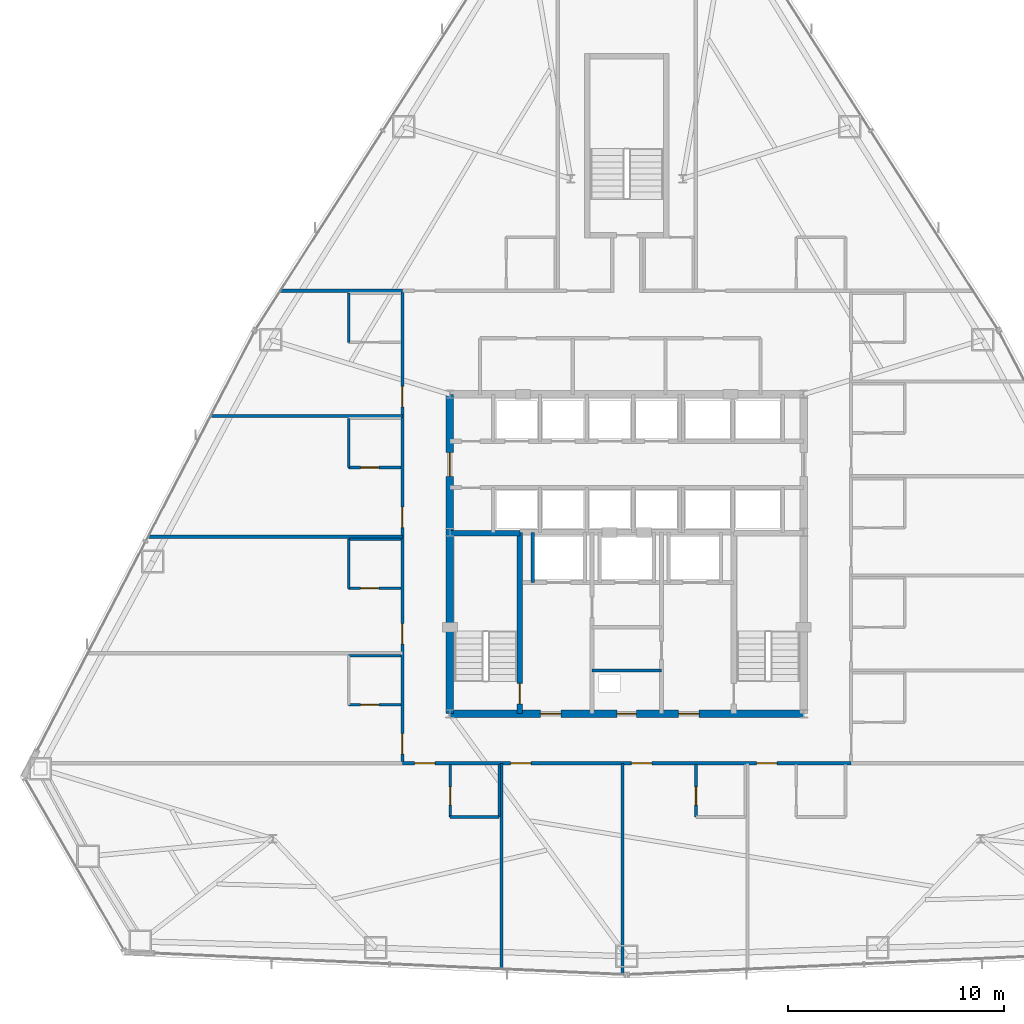
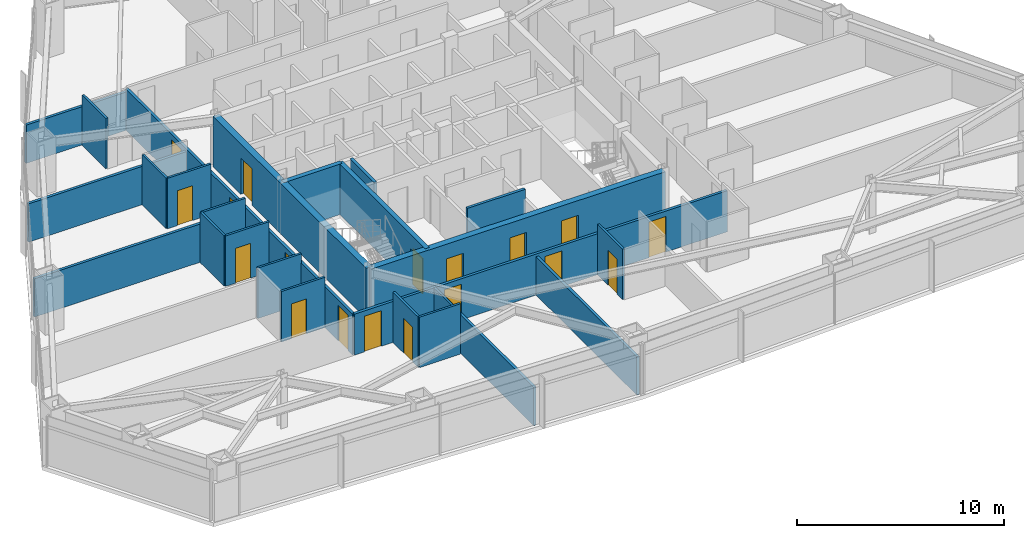
# One storey, part 9 of 13: 25 walls, 18 doors, 18 openings.
"""IFC4 building model written with IfcOpenShell, lengths in metres."""

from ifc_helpers import new_model, si_unit, direction, frame, frame_2d, origin, place, context, subcontext, project, spatial, rectangle, extrude, material, layer, layer_set, type_object, element, fill, save


model = new_model("IFC4")

# Units and contexts
model_context = context("Model", 3, precision=1e-05, world=origin(), true_north=direction((0.0, 1.0)))
body_context = subcontext(model_context, "Body", "Model", "MODEL_VIEW")
ifc_project = project(units=[si_unit("LENGTHUNIT", "METRE"), si_unit("AREAUNIT", "SQUARE_METRE"), si_unit("VOLUMEUNIT", "CUBIC_METRE"), si_unit("PLANEANGLEUNIT", "RADIAN"), si_unit("MASSUNIT", "GRAM", prefix="KILO")], contexts=[model_context])

# Site, building, storey
site_placement = place(None, origin())
site = spatial("IfcSite", under=ifc_project, at=site_placement, CompositionType="ELEMENT")
building_placement = place(site_placement, origin())
building = spatial("IfcBuilding", under=site, at=building_placement, Name="Varakhsha Concourse Tower", CompositionType="ELEMENT")
storey_placement = place(building_placement, frame((0.0, 0.0, 86.199951171875)))
storey = spatial("IfcBuildingStorey", under=building, at=storey_placement, Name="L24", CompositionType="ELEMENT", Elevation=86.199951171875)

# Wall, openings, doors
ifc_material_1 = material(Name="Concrete fc 65 MPa", Category="concrete")
ifc_layer_1 = layer(ifc_material_1, 0.35009765625, Name="WL-CORE-350")
ifc_layer_set_1 = layer_set([ifc_layer_1], Name="Concrete fc 65 MPa")
wall_type_1 = type_object("IfcWallType", Name="WL-CORE-350", PredefinedType="SHEAR", material=ifc_layer_set_1)
wall_1_placement = place(storey_placement, frame((31.800048828125, 16.39990234375, 0.0), z_axis=(0.0, 0.0, 1.0), x_axis=(1.0, 0.0, 0.0)))
wall_1 = element("IfcWall", 1, at=wall_1_placement, inside=storey, type_object=wall_type_1, Name="L24 Wall CWALL-S-L24", PredefinedType="SHEAR", context=body_context, shape_type="SweptSolid", body=[
    extrude(rectangle(XDim=16.39990234375, YDim=0.35009765625, at=frame_2d((8.199951171875, 0.0))), origin(), (0.0, 0.0, 1.0), 2.969970703125),
])
opening_1_placement = place(wall_1_placement, frame((7.75, 0.0, 0.0)))
opening_1 = element("IfcOpeningElement", 2, at=opening_1_placement, cuts=wall_1, Name="Opening DF-06", PredefinedType="OPENING", context=body_context, shape_type="SweptSolid", body=[
    extrude(rectangle(XDim=0.89990234375, YDim=2.10009765625, at=frame_2d((0.449951171875, 1.050048828125))), frame((0.0, 0.18505859375, 0.0), z_axis=(0.0, -1.0, 0.0), x_axis=(1.0, 0.0, 0.0)), (0.0, 0.0, 1.0), 0.3701171875),
])
opening_2_placement = place(wall_1_placement, frame((4.199951171875, 0.0, 0.0)))
opening_2 = element("IfcOpeningElement", 3, at=opening_2_placement, cuts=wall_1, Name="Opening DF-05", PredefinedType="OPENING", context=body_context, shape_type="SweptSolid", body=[
    extrude(rectangle(XDim=0.949951171875, YDim=2.10009765625, at=frame_2d((0.47509765625, 1.050048828125))), frame((0.0, 0.18505859375, 0.0), z_axis=(0.0, -1.0, 0.0), x_axis=(1.0, 0.0, 0.0)), (0.0, 0.0, 1.0), 0.3701171875),
])
opening_3_placement = place(wall_1_placement, frame((10.60009765625, 0.0, 0.0)))
opening_3 = element("IfcOpeningElement", 4, at=opening_3_placement, cuts=wall_1, Name="Opening DF-05", PredefinedType="OPENING", context=body_context, shape_type="SweptSolid", body=[
    extrude(rectangle(XDim=0.949951171875, YDim=2.10009765625, at=frame_2d((0.47509765625, 1.050048828125))), frame((0.0, 0.18505859375, 0.0), z_axis=(0.0, -1.0, 0.0), x_axis=(1.0, 0.0, 0.0)), (0.0, 0.0, 1.0), 0.3701171875),
])
ifc_material_2 = material(Name="Hollow Galvanised Steel Fire Door Assembly", Category="steel")
door_type_1 = type_object("IfcDoorType", Name="DR-FD60-900", OperationType="NOTDEFINED", PredefinedType="DOOR", material=ifc_material_2)
door_1_placement = place(opening_1_placement, origin())
door_1 = element("IfcDoor", 5, at=door_1_placement, inside=storey, type_object=door_type_1, Name="L24 Electrical Riser Door", OperationType="SINGLE_SWING_LEFT", OverallHeight=2.10009765625, OverallWidth=0.89990234375, PredefinedType="DOOR", context=body_context, shape_type="SweptSolid", body=[
    extrude(rectangle(XDim=0.89990234375, YDim=2.10009765625, at=frame_2d((0.449951171875, 1.050048828125))), frame((0.0, 0.02490234375, 0.0), z_axis=(0.0, -1.0, 0.0), x_axis=(1.0, 0.0, 0.0)), (0.0, 0.0, 1.0), 0.050048828125),
])
fill(opening_1, door_1)
door_type_2 = type_object("IfcDoorType", Name="DR-FD60-950", OperationType="NOTDEFINED", PredefinedType="DOOR", material=ifc_material_2)
door_2_placement = place(opening_2_placement, origin())
door_2 = element("IfcDoor", 6, at=door_2_placement, inside=storey, type_object=door_type_2, Name="L24 Firefighting Lobby West Door", OperationType="SINGLE_SWING_RIGHT", OverallHeight=2.10009765625, OverallWidth=0.949951171875, PredefinedType="DOOR", context=body_context, shape_type="SweptSolid", body=[
    extrude(rectangle(XDim=0.949951171875, YDim=2.10009765625, at=frame_2d((0.47509765625, 1.050048828125))), frame((0.0, 0.02490234375, 0.0), z_axis=(0.0, -1.0, 0.0), x_axis=(1.0, 0.0, 0.0)), (0.0, 0.0, 1.0), 0.050048828125),
])
fill(opening_2, door_2)
door_3_placement = place(opening_3_placement, origin())
door_3 = element("IfcDoor", 7, at=door_3_placement, inside=storey, type_object=door_type_2, Name="L24 Firefighting Lobby East Door", OperationType="SINGLE_SWING_LEFT", OverallHeight=2.10009765625, OverallWidth=0.949951171875, PredefinedType="DOOR", context=body_context, shape_type="SweptSolid", body=[
    extrude(rectangle(XDim=0.949951171875, YDim=2.10009765625, at=frame_2d((0.47509765625, 1.050048828125))), frame((0.0, 0.02490234375, 0.0), z_axis=(0.0, -1.0, 0.0), x_axis=(1.0, 0.0, 0.0)), (0.0, 0.0, 1.0), 0.050048828125),
])
fill(opening_3, door_3)

# Wall, opening, door
wall_2_placement = place(storey_placement, frame((31.800048828125, 16.39990234375, 0.0), z_axis=(0.0, 0.0, 1.0), x_axis=(0.0, 1.0, 0.0)))
wall_2 = element("IfcWall", 8, at=wall_2_placement, inside=storey, type_object=wall_type_1, Name="L24 Wall CWALL-W-L24", PredefinedType="SHEAR", context=body_context, shape_type="SweptSolid", body=[
    extrude(rectangle(XDim=14.800048828125, YDim=0.35009765625, at=frame_2d((7.39990234375, 0.0))), origin(), (0.0, 0.0, 1.0), 2.969970703125),
])
opening_4_placement = place(wall_2_placement, frame((11.0, 0.0, 0.0)))
opening_4 = element("IfcOpeningElement", 9, at=opening_4_placement, cuts=wall_2, Name="Opening DL-01", PredefinedType="OPENING", context=body_context, shape_type="SweptSolid", body=[
    extrude(rectangle(XDim=1.10009765625, YDim=2.14990234375, at=frame_2d((0.550048828125, 1.074951171875))), frame((0.0, 0.18505859375, 0.0), z_axis=(0.0, -1.0, 0.0), x_axis=(1.0, 0.0, 0.0)), (0.0, 0.0, 1.0), 0.3701171875),
])
ifc_material_3 = material(Name="Anodised Bronze Architectural Aluminium AA 6063-T6", Category="aluminium")
door_type_3 = type_object("IfcDoorType", Name="DR-LOB-1100", OperationType="NOTDEFINED", PredefinedType="DOOR", material=ifc_material_3)
door_4_placement = place(opening_4_placement, origin())
door_4 = element("IfcDoor", 10, at=door_4_placement, inside=storey, type_object=door_type_3, Name="L24 Lift Lobby West Concourse Door", OperationType="SINGLE_SWING_LEFT", OverallHeight=2.14990234375, OverallWidth=1.10009765625, PredefinedType="DOOR", context=body_context, shape_type="SweptSolid", body=[
    extrude(rectangle(XDim=1.10009765625, YDim=2.14990234375, at=frame_2d((0.550048828125, 1.074951171875))), frame((0.0, 0.02490234375, 0.0), z_axis=(0.0, -1.0, 0.0), x_axis=(1.0, 0.0, 0.0)), (0.0, 0.0, 1.0), 0.050048828125),
])
fill(opening_4, door_4)

ifc_material_4 = material(Name="Acoustic Gypsum Board Partition Assembly", Category="gypsum")
ifc_layer_2 = layer(ifc_material_4, 0.1201171875, Name="WL-PART-120")
ifc_layer_set_2 = layer_set([ifc_layer_2], Name="Acoustic Gypsum Board Partition Assembly")
wall_type_2 = type_object("IfcWallType", Name="WL-PART-120", PredefinedType="PARTITIONING", material=ifc_layer_set_2)
wall_3_placement = place(storey_placement, frame((31.81005859375, 11.610107421875, 0.0), z_axis=(0.0, 0.0, 1.0), x_axis=(0.0, 1.0, 0.0)))
wall_3 = element("IfcWall", 11, at=wall_3_placement, inside=storey, type_object=wall_type_2, Name="L24 Wall ENSW-W-L24-H01", PredefinedType="PARTITIONING", context=body_context, shape_type="SweptSolid", body=[
    extrude(rectangle(XDim=2.429931640625, YDim=0.1201171875, at=frame_2d((1.21484375, 0.0))), origin(), (0.0, 0.0, 1.0), 2.969970703125),
])
opening_5_placement = place(wall_3_placement, frame((0.550048828125, 0.0, 0.0)))
opening_5 = element("IfcOpeningElement", 12, at=opening_5_placement, cuts=wall_3, Name="Opening DI-01", PredefinedType="OPENING", context=body_context, shape_type="SweptSolid", body=[
    extrude(rectangle(XDim=0.85009765625, YDim=2.050048828125, at=frame_2d((0.425048828125, 1.02490234375))), frame((0.0, 0.070068359375, 0.0), z_axis=(0.0, -1.0, 0.0), x_axis=(1.0, 0.0, 0.0)), (0.0, 0.0, 1.0), 0.14013671875),
])
ifc_material_5 = material(Name="Architectural Walnut Acoustic Timber Door", Category="wood")
door_type_4 = type_object("IfcDoorType", Name="DR-INT-850", OperationType="NOTDEFINED", PredefinedType="DOOR", material=ifc_material_5)
door_5_placement = place(opening_5_placement, origin())
door_5 = element("IfcDoor", 13, at=door_5_placement, inside=storey, type_object=door_type_4, Name="L24 En-suite Bathroom Door L24-H01", OperationType="SINGLE_SWING_RIGHT", OverallHeight=2.050048828125, OverallWidth=0.85009765625, PredefinedType="DOOR", context=body_context, shape_type="SweptSolid", body=[
    extrude(rectangle(XDim=0.85009765625, YDim=2.050048828125, at=frame_2d((0.425048828125, 1.02490234375))), frame((0.0, 0.02490234375, 0.0), z_axis=(0.0, -1.0, 0.0), x_axis=(1.0, 0.0, 0.0)), (0.0, 0.0, 1.0), 0.050048828125),
])
fill(opening_5, door_5)

# Walls
wall_4_placement = place(storey_placement, frame((34.090087890625, 11.610107421875, 0.0), z_axis=(0.0, 0.0, 1.0), x_axis=(0.0, 1.0, 0.0)))
element("IfcWall", 14, at=wall_4_placement, inside=storey, type_object=wall_type_2, Name="L24 Wall ENSW-E-L24-H01", PredefinedType="PARTITIONING", context=body_context, shape_type="SweptSolid", body=[
    extrude(rectangle(XDim=2.429931640625, YDim=0.1201171875, at=frame_2d((1.21484375, 0.0))), origin(), (0.0, 0.0, 1.0), 2.421142578125),
])
wall_5_placement = place(storey_placement, frame((31.81005859375, 11.610107421875, 0.0), z_axis=(0.0, 0.0, 1.0), x_axis=(1.0, 0.0, 0.0)))
element("IfcWall", 15, at=wall_5_placement, inside=storey, type_object=wall_type_2, Name="L24 Wall ENSW-S-L24-H01", PredefinedType="PARTITIONING", context=body_context, shape_type="SweptSolid", body=[
    extrude(rectangle(XDim=2.280029296875, YDim=0.1201171875, at=frame_2d((1.14013671875, 0.0))), origin(), (0.0, 0.0, 1.0), 2.969970703125),
])

# Wall, opening, door
wall_6_placement = place(storey_placement, frame((43.2099609375, 11.610107421875, 0.0), z_axis=(0.0, 0.0, 1.0), x_axis=(0.0, 1.0, 0.0)))
wall_6 = element("IfcWall", 16, at=wall_6_placement, inside=storey, type_object=wall_type_2, Name="L24 Wall ENSW-W-L24-H03", PredefinedType="PARTITIONING", context=body_context, shape_type="SweptSolid", body=[
    extrude(rectangle(XDim=2.429931640625, YDim=0.1201171875, at=frame_2d((1.21484375, 0.0))), origin(), (0.0, 0.0, 1.0), 2.969970703125),
])
opening_6_placement = place(wall_6_placement, frame((0.550048828125, 0.0, 0.0)))
opening_6 = element("IfcOpeningElement", 17, at=opening_6_placement, cuts=wall_6, Name="Opening DI-01", PredefinedType="OPENING", context=body_context, shape_type="SweptSolid", body=[
    extrude(rectangle(XDim=0.85009765625, YDim=2.050048828125, at=frame_2d((0.425048828125, 1.02490234375))), frame((0.0, 0.070068359375, 0.0), z_axis=(0.0, -1.0, 0.0), x_axis=(1.0, 0.0, 0.0)), (0.0, 0.0, 1.0), 0.14013671875),
])
door_6_placement = place(opening_6_placement, origin())
door_6 = element("IfcDoor", 18, at=door_6_placement, inside=storey, type_object=door_type_4, Name="L24 En-suite Bathroom Door L24-H03", OperationType="SINGLE_SWING_RIGHT", OverallHeight=2.050048828125, OverallWidth=0.85009765625, PredefinedType="DOOR", context=body_context, shape_type="SweptSolid", body=[
    extrude(rectangle(XDim=0.85009765625, YDim=2.050048828125, at=frame_2d((0.425048828125, 1.02490234375))), frame((0.0, 0.02490234375, 0.0), z_axis=(0.0, -1.0, 0.0), x_axis=(1.0, 0.0, 0.0)), (0.0, 0.0, 1.0), 0.050048828125),
])
fill(opening_6, door_6)

wall_7_placement = place(storey_placement, frame((27.110107421875, 16.81005859375, 0.0), z_axis=(0.0, 0.0, 1.0), x_axis=(1.0, 0.0, 0.0)))
wall_7 = element("IfcWall", 19, at=wall_7_placement, inside=storey, type_object=wall_type_2, Name="L24 Wall ENSW-S-L24-H05", PredefinedType="PARTITIONING", context=body_context, shape_type="SweptSolid", body=[
    extrude(rectangle(XDim=2.429931640625, YDim=0.1201171875, at=frame_2d((1.21484375, 0.0))), origin(), (0.0, 0.0, 1.0), 2.969970703125),
])
opening_7_placement = place(wall_7_placement, frame((0.550048828125, 0.0, 0.0)))
opening_7 = element("IfcOpeningElement", 20, at=opening_7_placement, cuts=wall_7, Name="Opening DI-01", PredefinedType="OPENING", context=body_context, shape_type="SweptSolid", body=[
    extrude(rectangle(XDim=0.85009765625, YDim=2.050048828125, at=frame_2d((0.425048828125, 1.02490234375))), frame((0.0, 0.070068359375, 0.0), z_axis=(0.0, -1.0, 0.0), x_axis=(1.0, 0.0, 0.0)), (0.0, 0.0, 1.0), 0.14013671875),
])
door_7_placement = place(opening_7_placement, origin())
door_7 = element("IfcDoor", 21, at=door_7_placement, inside=storey, type_object=door_type_4, Name="L24 En-suite Bathroom Door L24-H05", OperationType="SINGLE_SWING_RIGHT", OverallHeight=2.050048828125, OverallWidth=0.85009765625, PredefinedType="DOOR", context=body_context, shape_type="SweptSolid", body=[
    extrude(rectangle(XDim=0.85009765625, YDim=2.050048828125, at=frame_2d((0.425048828125, 1.02490234375))), frame((0.0, 0.02490234375, 0.0), z_axis=(0.0, -1.0, 0.0), x_axis=(1.0, 0.0, 0.0)), (0.0, 0.0, 1.0), 0.050048828125),
])
fill(opening_7, door_7)

# Walls
wall_8_placement = place(storey_placement, frame((27.110107421875, 19.090087890625, 0.0), z_axis=(0.0, 0.0, 1.0), x_axis=(1.0, 0.0, 0.0)))
element("IfcWall", 22, at=wall_8_placement, inside=storey, type_object=wall_type_2, Name="L24 Wall ENSW-N-L24-H05", PredefinedType="PARTITIONING", context=body_context, shape_type="SweptSolid", body=[
    extrude(rectangle(XDim=2.429931640625, YDim=0.1201171875, at=frame_2d((1.21484375, 0.0))), origin(), (0.0, 0.0, 1.0), 2.969970703125),
])
wall_9_placement = place(storey_placement, frame((27.110107421875, 22.2099609375, 0.0), z_axis=(0.0, 0.0, 1.0), x_axis=(0.0, 1.0, 0.0)))
element("IfcWall", 23, at=wall_9_placement, inside=storey, type_object=wall_type_2, Name="L24 Wall ENSW-W-L24-H06", PredefinedType="PARTITIONING", context=body_context, shape_type="SweptSolid", body=[
    extrude(rectangle(XDim=2.280029296875, YDim=0.1201171875, at=frame_2d((1.14013671875, 0.0))), origin(), (0.0, 0.0, 1.0), 2.969970703125),
])

# Wall, opening, door
wall_10_placement = place(storey_placement, frame((27.110107421875, 22.2099609375, 0.0), z_axis=(0.0, 0.0, 1.0), x_axis=(1.0, 0.0, 0.0)))
wall_10 = element("IfcWall", 24, at=wall_10_placement, inside=storey, type_object=wall_type_2, Name="L24 Wall ENSW-S-L24-H06", PredefinedType="PARTITIONING", context=body_context, shape_type="SweptSolid", body=[
    extrude(rectangle(XDim=2.429931640625, YDim=0.1201171875, at=frame_2d((1.21484375, 0.0))), origin(), (0.0, 0.0, 1.0), 2.969970703125),
])
opening_8_placement = place(wall_10_placement, frame((0.550048828125, 0.0, 0.0)))
opening_8 = element("IfcOpeningElement", 25, at=opening_8_placement, cuts=wall_10, Name="Opening DI-01", PredefinedType="OPENING", context=body_context, shape_type="SweptSolid", body=[
    extrude(rectangle(XDim=0.85009765625, YDim=2.050048828125, at=frame_2d((0.425048828125, 1.02490234375))), frame((0.0, 0.070068359375, 0.0), z_axis=(0.0, -1.0, 0.0), x_axis=(1.0, 0.0, 0.0)), (0.0, 0.0, 1.0), 0.14013671875),
])
door_8_placement = place(opening_8_placement, origin())
door_8 = element("IfcDoor", 26, at=door_8_placement, inside=storey, type_object=door_type_4, Name="L24 En-suite Bathroom Door L24-H06", OperationType="SINGLE_SWING_RIGHT", OverallHeight=2.050048828125, OverallWidth=0.85009765625, PredefinedType="DOOR", context=body_context, shape_type="SweptSolid", body=[
    extrude(rectangle(XDim=0.85009765625, YDim=2.050048828125, at=frame_2d((0.425048828125, 1.02490234375))), frame((0.0, 0.02490234375, 0.0), z_axis=(0.0, -1.0, 0.0), x_axis=(1.0, 0.0, 0.0)), (0.0, 0.0, 1.0), 0.050048828125),
])
fill(opening_8, door_8)

# Walls
wall_11_placement = place(storey_placement, frame((27.110107421875, 24.489990234375, 0.0), z_axis=(0.0, 0.0, 1.0), x_axis=(1.0, 0.0, 0.0)))
element("IfcWall", 27, at=wall_11_placement, inside=storey, type_object=wall_type_2, Name="L24 Wall ENSW-N-L24-H06", PredefinedType="PARTITIONING", context=body_context, shape_type="SweptSolid", body=[
    extrude(rectangle(XDim=2.429931640625, YDim=0.1201171875, at=frame_2d((1.21484375, 0.0))), origin(), (0.0, 0.0, 1.0), 2.969970703125),
])
wall_12_placement = place(storey_placement, frame((27.110107421875, 27.81005859375, 0.0), z_axis=(0.0, 0.0, 1.0), x_axis=(0.0, 1.0, 0.0)))
element("IfcWall", 28, at=wall_12_placement, inside=storey, type_object=wall_type_2, Name="L24 Wall ENSW-W-L24-H07", PredefinedType="PARTITIONING", context=body_context, shape_type="SweptSolid", body=[
    extrude(rectangle(XDim=2.280029296875, YDim=0.1201171875, at=frame_2d((1.14013671875, 0.0))), origin(), (0.0, 0.0, 1.0), 2.969970703125),
])

# Wall, opening, door
wall_13_placement = place(storey_placement, frame((27.110107421875, 27.81005859375, 0.0), z_axis=(0.0, 0.0, 1.0), x_axis=(1.0, 0.0, 0.0)))
wall_13 = element("IfcWall", 29, at=wall_13_placement, inside=storey, type_object=wall_type_2, Name="L24 Wall ENSW-S-L24-H07", PredefinedType="PARTITIONING", context=body_context, shape_type="SweptSolid", body=[
    extrude(rectangle(XDim=2.429931640625, YDim=0.1201171875, at=frame_2d((1.21484375, 0.0))), origin(), (0.0, 0.0, 1.0), 2.969970703125),
])
opening_9_placement = place(wall_13_placement, frame((0.550048828125, 0.0, 0.0)))
opening_9 = element("IfcOpeningElement", 30, at=opening_9_placement, cuts=wall_13, Name="Opening DI-01", PredefinedType="OPENING", context=body_context, shape_type="SweptSolid", body=[
    extrude(rectangle(XDim=0.85009765625, YDim=2.050048828125, at=frame_2d((0.425048828125, 1.02490234375))), frame((0.0, 0.070068359375, 0.0), z_axis=(0.0, -1.0, 0.0), x_axis=(1.0, 0.0, 0.0)), (0.0, 0.0, 1.0), 0.14013671875),
])
door_9_placement = place(opening_9_placement, origin())
door_9 = element("IfcDoor", 31, at=door_9_placement, inside=storey, type_object=door_type_4, Name="L24 En-suite Bathroom Door L24-H07", OperationType="SINGLE_SWING_RIGHT", OverallHeight=2.050048828125, OverallWidth=0.85009765625, PredefinedType="DOOR", context=body_context, shape_type="SweptSolid", body=[
    extrude(rectangle(XDim=0.85009765625, YDim=2.050048828125, at=frame_2d((0.425048828125, 1.02490234375))), frame((0.0, 0.02490234375, 0.0), z_axis=(0.0, -1.0, 0.0), x_axis=(1.0, 0.0, 0.0)), (0.0, 0.0, 1.0), 0.050048828125),
])
fill(opening_9, door_9)

# Walls
wall_14_placement = place(storey_placement, frame((27.110107421875, 33.610107421875, 0.0), z_axis=(0.0, 0.0, 1.0), x_axis=(0.0, 1.0, 0.0)))
element("IfcWall", 32, at=wall_14_placement, inside=storey, type_object=wall_type_2, Name="L24 Wall ENSW-W-L24-H08", PredefinedType="PARTITIONING", context=body_context, shape_type="SweptSolid", body=[
    extrude(rectangle(XDim=2.27978515625, YDim=0.1201171875, at=frame_2d((1.139892578125, 0.0))), origin(), (0.0, 0.0, 1.0), 2.969970703125),
])
ifc_material_6 = material(Name="Fire-Rated Type X Gypsum Partition Assembly", Category="gypsum")
ifc_layer_3 = layer(ifc_material_6, 0.14990234375, Name="WL-PART-150")
ifc_layer_set_3 = layer_set([ifc_layer_3], Name="Fire-Rated Type X Gypsum Partition Assembly")
wall_type_3 = type_object("IfcWallType", Name="WL-PART-150", PredefinedType="PARTITIONING", material=ifc_layer_set_3)
wall_15_placement = place(storey_placement, frame((38.389892578125, 18.39990234375, 0.0), z_axis=(0.0, 0.0, 1.0), x_axis=(1.0, 0.0, 0.0)))
element("IfcWall", 33, at=wall_15_placement, inside=storey, type_object=wall_type_3, Name="L24 Wall RSW-H1-L24", PredefinedType="PARTITIONING", context=body_context, shape_type="SweptSolid", body=[
    extrude(rectangle(XDim=3.22021484375, YDim=0.14990234375, at=frame_2d((1.610107421875, 0.0))), origin(), (0.0, 0.0, 1.0), 2.969970703125),
])

# Wall, openings, doors
wall_16_placement = place(storey_placement, frame((29.60009765625, 14.10009765625, 0.0), z_axis=(0.0, 0.0, 1.0), x_axis=(1.0, 0.0, 0.0)))
wall_16 = element("IfcWall", 34, at=wall_16_placement, inside=storey, type_object=wall_type_3, Name="L24 Wall CRW-S-L24", PredefinedType="PARTITIONING", context=body_context, shape_type="SweptSolid", body=[
    extrude(rectangle(XDim=20.7998046875, YDim=0.14990234375, at=frame_2d((10.39990234375, 0.0))), origin(), (0.0, 0.0, 1.0), 2.421142578125),
])
opening_10_placement = place(wall_16_placement, frame((0.570068359375, 0.0, 0.0)))
opening_10 = element("IfcOpeningElement", 35, at=opening_10_placement, cuts=wall_16, Name="Opening DF-05", PredefinedType="OPENING", context=body_context, shape_type="SweptSolid", body=[
    extrude(rectangle(XDim=0.949951171875, YDim=2.10009765625, at=frame_2d((0.47509765625, 1.050048828125))), frame((0.0, 0.0849609375, 0.0), z_axis=(0.0, -1.0, 0.0), x_axis=(1.0, 0.0, 0.0)), (0.0, 0.0, 1.0), 0.169921875),
])
opening_11_placement = place(wall_16_placement, frame((5.02001953125, 0.0, 0.0)))
opening_11 = element("IfcOpeningElement", 36, at=opening_11_placement, cuts=wall_16, Name="Opening DF-05", PredefinedType="OPENING", context=body_context, shape_type="SweptSolid", body=[
    extrude(rectangle(XDim=0.949951171875, YDim=2.10009765625, at=frame_2d((0.47509765625, 1.050048828125))), frame((0.0, 0.0849609375, 0.0), z_axis=(0.0, -1.0, 0.0), x_axis=(1.0, 0.0, 0.0)), (0.0, 0.0, 1.0), 0.169921875),
])
opening_12_placement = place(wall_16_placement, frame((10.6201171875, 0.0, 0.0)))
opening_12 = element("IfcOpeningElement", 37, at=opening_12_placement, cuts=wall_16, Name="Opening DF-05", PredefinedType="OPENING", context=body_context, shape_type="SweptSolid", body=[
    extrude(rectangle(XDim=0.949951171875, YDim=2.10009765625, at=frame_2d((0.47509765625, 1.050048828125))), frame((0.0, 0.0849609375, 0.0), z_axis=(0.0, -1.0, 0.0), x_axis=(1.0, 0.0, 0.0)), (0.0, 0.0, 1.0), 0.169921875),
])
opening_13_placement = place(wall_16_placement, frame((16.419921875, 0.0, 0.0)))
opening_13 = element("IfcOpeningElement", 38, at=opening_13_placement, cuts=wall_16, Name="Opening DF-05", PredefinedType="OPENING", context=body_context, shape_type="SweptSolid", body=[
    extrude(rectangle(XDim=0.949951171875, YDim=2.10009765625, at=frame_2d((0.47509765625, 1.050048828125))), frame((0.0, 0.0849609375, 0.0), z_axis=(0.0, -1.0, 0.0), x_axis=(1.0, 0.0, 0.0)), (0.0, 0.0, 1.0), 0.169921875),
])
door_10_placement = place(opening_10_placement, origin())
door_10 = element("IfcDoor", 39, at=door_10_placement, inside=storey, type_object=door_type_2, Name="L24 Hotel Corner Suite L24-H01 Entry Door", OperationType="SINGLE_SWING_LEFT", OverallHeight=2.10009765625, OverallWidth=0.949951171875, PredefinedType="DOOR", context=body_context, shape_type="SweptSolid", body=[
    extrude(rectangle(XDim=0.949951171875, YDim=2.10009765625, at=frame_2d((0.47509765625, 1.050048828125))), frame((0.0, 0.02490234375, 0.0), z_axis=(0.0, -1.0, 0.0), x_axis=(1.0, 0.0, 0.0)), (0.0, 0.0, 1.0), 0.050048828125),
])
fill(opening_10, door_10)
door_11_placement = place(opening_11_placement, origin())
door_11 = element("IfcDoor", 40, at=door_11_placement, inside=storey, type_object=door_type_2, Name="L24 Conference Briefing Salon L24-H02 Door", OperationType="SINGLE_SWING_RIGHT", OverallHeight=2.10009765625, OverallWidth=0.949951171875, PredefinedType="DOOR", context=body_context, shape_type="SweptSolid", body=[
    extrude(rectangle(XDim=0.949951171875, YDim=2.10009765625, at=frame_2d((0.47509765625, 1.050048828125))), frame((0.0, 0.02490234375, 0.0), z_axis=(0.0, -1.0, 0.0), x_axis=(1.0, 0.0, 0.0)), (0.0, 0.0, 1.0), 0.050048828125),
])
fill(opening_11, door_11)
door_12_placement = place(opening_12_placement, origin())
door_12 = element("IfcDoor", 41, at=door_12_placement, inside=storey, type_object=door_type_2, Name="L24 Hotel Corner Suite L24-H03 Entry Door", OperationType="SINGLE_SWING_LEFT", OverallHeight=2.10009765625, OverallWidth=0.949951171875, PredefinedType="DOOR", context=body_context, shape_type="SweptSolid", body=[
    extrude(rectangle(XDim=0.949951171875, YDim=2.10009765625, at=frame_2d((0.47509765625, 1.050048828125))), frame((0.0, 0.02490234375, 0.0), z_axis=(0.0, -1.0, 0.0), x_axis=(1.0, 0.0, 0.0)), (0.0, 0.0, 1.0), 0.050048828125),
])
fill(opening_12, door_12)
door_13_placement = place(opening_13_placement, origin())
door_13 = element("IfcDoor", 42, at=door_13_placement, inside=storey, type_object=door_type_2, Name="L24 Hotel Corner Suite L24-H04 Entry Door", OperationType="SINGLE_SWING_RIGHT", OverallHeight=2.10009765625, OverallWidth=0.949951171875, PredefinedType="DOOR", context=body_context, shape_type="SweptSolid", body=[
    extrude(rectangle(XDim=0.949951171875, YDim=2.10009765625, at=frame_2d((0.47509765625, 1.050048828125))), frame((0.0, 0.02490234375, 0.0), z_axis=(0.0, -1.0, 0.0), x_axis=(1.0, 0.0, 0.0)), (0.0, 0.0, 1.0), 0.050048828125),
])
fill(opening_13, door_13)

wall_17_placement = place(storey_placement, frame((29.60009765625, 14.10009765625, 0.0), z_axis=(0.0, 0.0, 1.0), x_axis=(0.0, 1.0, 0.0)))
wall_17 = element("IfcWall", 43, at=wall_17_placement, inside=storey, type_object=wall_type_3, Name="L24 Wall CRW-W-L24", PredefinedType="PARTITIONING", context=body_context, shape_type="SweptSolid", body=[
    extrude(rectangle(XDim=21.89990234375, YDim=0.14990234375, at=frame_2d((10.949951171875, 0.0))), origin(), (0.0, 0.0, 1.0), 2.421142578125),
])
opening_14_placement = place(wall_17_placement, frame((0.419921875, 0.0, 0.0)))
opening_14 = element("IfcOpeningElement", 44, at=opening_14_placement, cuts=wall_17, Name="Opening DF-05", PredefinedType="OPENING", context=body_context, shape_type="SweptSolid", body=[
    extrude(rectangle(XDim=0.949951171875, YDim=2.10009765625, at=frame_2d((0.47509765625, 1.050048828125))), frame((0.0, 0.0849609375, 0.0), z_axis=(0.0, -1.0, 0.0), x_axis=(1.0, 0.0, 0.0)), (0.0, 0.0, 1.0), 0.169921875),
])
opening_15_placement = place(wall_17_placement, frame((5.52001953125, 0.0, 0.0)))
opening_15 = element("IfcOpeningElement", 45, at=opening_15_placement, cuts=wall_17, Name="Opening DF-05", PredefinedType="OPENING", context=body_context, shape_type="SweptSolid", body=[
    extrude(rectangle(XDim=0.949951171875, YDim=2.10009765625, at=frame_2d((0.47509765625, 1.050048828125))), frame((0.0, 0.0849609375, 0.0), z_axis=(0.0, -1.0, 0.0), x_axis=(1.0, 0.0, 0.0)), (0.0, 0.0, 1.0), 0.169921875),
])
opening_16_placement = place(wall_17_placement, frame((10.919921875, 0.0, 0.0)))
opening_16 = element("IfcOpeningElement", 46, at=opening_16_placement, cuts=wall_17, Name="Opening DF-05", PredefinedType="OPENING", context=body_context, shape_type="SweptSolid", body=[
    extrude(rectangle(XDim=0.949951171875, YDim=2.10009765625, at=frame_2d((0.47509765625, 1.050048828125))), frame((0.0, 0.0849609375, 0.0), z_axis=(0.0, -1.0, 0.0), x_axis=(1.0, 0.0, 0.0)), (0.0, 0.0, 1.0), 0.169921875),
])
opening_17_placement = place(wall_17_placement, frame((16.52001953125, 0.0, 0.0)))
opening_17 = element("IfcOpeningElement", 47, at=opening_17_placement, cuts=wall_17, Name="Opening DF-05", PredefinedType="OPENING", context=body_context, shape_type="SweptSolid", body=[
    extrude(rectangle(XDim=0.949951171875, YDim=2.10009765625, at=frame_2d((0.47509765625, 1.050048828125))), frame((0.0, 0.0849609375, 0.0), z_axis=(0.0, -1.0, 0.0), x_axis=(1.0, 0.0, 0.0)), (0.0, 0.0, 1.0), 0.169921875),
])
door_14_placement = place(opening_14_placement, origin())
door_14 = element("IfcDoor", 48, at=door_14_placement, inside=storey, type_object=door_type_2, Name="L24 Hotel Corner Suite L24-H05 Entry Door", OperationType="SINGLE_SWING_LEFT", OverallHeight=2.10009765625, OverallWidth=0.949951171875, PredefinedType="DOOR", context=body_context, shape_type="SweptSolid", body=[
    extrude(rectangle(XDim=0.949951171875, YDim=2.10009765625, at=frame_2d((0.47509765625, 1.050048828125))), frame((0.0, 0.02490234375, 0.0), z_axis=(0.0, -1.0, 0.0), x_axis=(1.0, 0.0, 0.0)), (0.0, 0.0, 1.0), 0.050048828125),
])
fill(opening_14, door_14)
door_15_placement = place(opening_15_placement, origin())
door_15 = element("IfcDoor", 49, at=door_15_placement, inside=storey, type_object=door_type_2, Name="L24 Hotel Corner Suite L24-H06 Entry Door", OperationType="SINGLE_SWING_RIGHT", OverallHeight=2.10009765625, OverallWidth=0.949951171875, PredefinedType="DOOR", context=body_context, shape_type="SweptSolid", body=[
    extrude(rectangle(XDim=0.949951171875, YDim=2.10009765625, at=frame_2d((0.47509765625, 1.050048828125))), frame((0.0, 0.02490234375, 0.0), z_axis=(0.0, -1.0, 0.0), x_axis=(1.0, 0.0, 0.0)), (0.0, 0.0, 1.0), 0.050048828125),
])
fill(opening_15, door_15)
door_16_placement = place(opening_16_placement, origin())
door_16 = element("IfcDoor", 50, at=door_16_placement, inside=storey, type_object=door_type_2, Name="L24 Hotel Corner Suite L24-H07 Entry Door", OperationType="SINGLE_SWING_LEFT", OverallHeight=2.10009765625, OverallWidth=0.949951171875, PredefinedType="DOOR", context=body_context, shape_type="SweptSolid", body=[
    extrude(rectangle(XDim=0.949951171875, YDim=2.10009765625, at=frame_2d((0.47509765625, 1.050048828125))), frame((0.0, 0.02490234375, 0.0), z_axis=(0.0, -1.0, 0.0), x_axis=(1.0, 0.0, 0.0)), (0.0, 0.0, 1.0), 0.050048828125),
])
fill(opening_16, door_16)
door_17_placement = place(opening_17_placement, origin())
door_17 = element("IfcDoor", 51, at=door_17_placement, inside=storey, type_object=door_type_2, Name="L24 Hotel Guest Room L24-H08 Entry Door", OperationType="SINGLE_SWING_RIGHT", OverallHeight=2.10009765625, OverallWidth=0.949951171875, PredefinedType="DOOR", context=body_context, shape_type="SweptSolid", body=[
    extrude(rectangle(XDim=0.949951171875, YDim=2.10009765625, at=frame_2d((0.47509765625, 1.050048828125))), frame((0.0, 0.02490234375, 0.0), z_axis=(0.0, -1.0, 0.0), x_axis=(1.0, 0.0, 0.0)), (0.0, 0.0, 1.0), 0.050048828125),
])
fill(opening_17, door_17)

# Walls
wall_18_placement = place(storey_placement, frame((34.199951171875, 4.568603515625, 0.0), z_axis=(0.0, 0.0, 1.0), x_axis=(0.0, 1.0, 0.0)))
element("IfcWall", 52, at=wall_18_placement, inside=storey, type_object=wall_type_3, Name="L24 Wall HDIV-S1-L24", PredefinedType="PARTITIONING", context=body_context, shape_type="SweptSolid", body=[
    extrude(rectangle(XDim=9.531494140625, YDim=0.14990234375, at=frame_2d((4.765625, 0.0))), origin(), (0.0, 0.0, 1.0), 2.258056640625),
])
wall_19_placement = place(storey_placement, frame((39.800048828125, 4.314208984375, 0.0), z_axis=(0.0, 0.0, 1.0), x_axis=(0.0, 1.0, 0.0)))
element("IfcWall", 53, at=wall_19_placement, inside=storey, type_object=wall_type_3, Name="L24 Wall HDIV-S2-L24", PredefinedType="PARTITIONING", context=body_context, shape_type="SweptSolid", body=[
    extrude(rectangle(XDim=9.785888671875, YDim=0.14990234375, at=frame_2d((4.89306640625, 0.0))), origin(), (0.0, 0.0, 1.0), 2.258056640625),
])
wall_20_placement = place(storey_placement, frame((23.955078125, 36.0, 0.0), z_axis=(0.0, 0.0, 1.0), x_axis=(1.0, 0.0, 0.0)))
element("IfcWall", 54, at=wall_20_placement, inside=storey, type_object=wall_type_3, Name="L24 Wall HDIV-WBN-L24", PredefinedType="PARTITIONING", context=body_context, shape_type="SweptSolid", body=[
    extrude(rectangle(XDim=5.64501953125, YDim=0.14990234375, at=frame_2d((2.822509765625, 0.0))), origin(), (0.0, 0.0, 1.0), 2.258056640625),
])
wall_21_placement = place(storey_placement, frame((17.82177734375, 24.60009765625, 0.0), z_axis=(0.0, 0.0, 1.0), x_axis=(1.0, 0.0, 0.0)))
element("IfcWall", 55, at=wall_21_placement, inside=storey, type_object=wall_type_3, Name="L24 Wall HDIV-W2-L24", PredefinedType="PARTITIONING", context=body_context, shape_type="SweptSolid", body=[
    extrude(rectangle(XDim=11.7783203125, YDim=0.14990234375, at=frame_2d((5.88916015625, 0.0))), origin(), (0.0, 0.0, 1.0), 2.258056640625),
])
wall_22_placement = place(storey_placement, frame((20.724365234375, 30.199951171875, 0.0), z_axis=(0.0, 0.0, 1.0), x_axis=(1.0, 0.0, 0.0)))
element("IfcWall", 56, at=wall_22_placement, inside=storey, type_object=wall_type_3, Name="L24 Wall HDIV-W3-L24", PredefinedType="PARTITIONING", context=body_context, shape_type="SweptSolid", body=[
    extrude(rectangle(XDim=8.875732421875, YDim=0.14990234375, at=frame_2d((4.43798828125, 0.0))), origin(), (0.0, 0.0, 1.0), 2.258056640625),
])
ifc_layer_4 = layer(ifc_material_6, 0.199951171875, Name="WL-SHAFT-220")
ifc_layer_set_4 = layer_set([ifc_layer_4], Name="Fire-Rated Type X Gypsum Partition Assembly")
wall_type_4 = type_object("IfcWallType", Name="WL-SHAFT-220", PredefinedType="SOLIDWALL", material=ifc_layer_set_4)
wall_23_placement = place(storey_placement, frame((35.64990234375, 22.47998046875, 0.0), z_axis=(0.0, 0.0, 1.0), x_axis=(0.0, 1.0, 0.0)))
element("IfcWall", 57, at=wall_23_placement, inside=storey, type_object=wall_type_4, Name="L24 Wall SHW-FFL-1-W-L24", PredefinedType="SOLIDWALL", context=body_context, shape_type="SweptSolid", body=[
    extrude(rectangle(XDim=2.320068359375, YDim=0.159912109375, at=frame_2d((1.16015625, 0.0))), origin(), (0.0, 0.0, 1.0), 2.969970703125),
])

# Wall, opening, door
ifc_material_7 = material(Name="Concrete fc 45 MPa", Category="concrete")
ifc_layer_5 = layer(ifc_material_7, 0.25, Name="WL-STAIR-250")
ifc_layer_set_5 = layer_set([ifc_layer_5], Name="Concrete fc 45 MPa")
wall_type_5 = type_object("IfcWallType", Name="WL-STAIR-250", PredefinedType="SHEAR", material=ifc_layer_set_5)
wall_24_placement = place(storey_placement, frame((35.044921875, 16.39990234375, 0.0), z_axis=(0.0, 0.0, 1.0), x_axis=(0.0, 1.0, 0.0)))
wall_24 = element("IfcWall", 58, at=wall_24_placement, inside=storey, type_object=wall_type_5, Name="L24 Wall SWALL-ST1-E-L24", PredefinedType="SHEAR", context=body_context, shape_type="SweptSolid", body=[
    extrude(rectangle(XDim=8.400146484375, YDim=0.25, at=frame_2d((4.2001953125, 0.0))), origin(), (0.0, 0.0, 1.0), 2.969970703125),
])
opening_18_placement = place(wall_24_placement, frame((0.449951171875, 0.0, 0.0)))
opening_18 = element("IfcOpeningElement", 59, at=opening_18_placement, cuts=wall_24, Name="Opening DF-03", PredefinedType="OPENING", context=body_context, shape_type="SweptSolid", body=[
    extrude(rectangle(XDim=0.949951171875, YDim=2.10009765625, at=frame_2d((0.47509765625, 1.050048828125))), frame((0.0, 0.135009765625, 0.0), z_axis=(0.0, -1.0, 0.0), x_axis=(1.0, 0.0, 0.0)), (0.0, 0.0, 1.0), 0.27001953125),
])
door_type_5 = type_object("IfcDoorType", Name="DR-FD90-950", OperationType="NOTDEFINED", PredefinedType="DOOR", material=ifc_material_2)
door_18_placement = place(opening_18_placement, origin())
door_18 = element("IfcDoor", 60, at=door_18_placement, inside=storey, type_object=door_type_5, Name="L24 Stair ST1 Fire Door", OperationType="SINGLE_SWING_LEFT", OverallHeight=2.10009765625, OverallWidth=0.949951171875, PredefinedType="DOOR", context=body_context, shape_type="SweptSolid", body=[
    extrude(rectangle(XDim=0.949951171875, YDim=2.10009765625, at=frame_2d((0.47509765625, 1.050048828125))), frame((0.0, 0.02490234375, 0.0), z_axis=(0.0, -1.0, 0.0), x_axis=(1.0, 0.0, 0.0)), (0.0, 0.0, 1.0), 0.050048828125),
])
fill(opening_18, door_18)

# Wall
wall_25_placement = place(storey_placement, frame((31.800048828125, 24.7548828125, 0.0), z_axis=(0.0, 0.0, 1.0), x_axis=(1.0, 0.0, 0.0)))
element("IfcWall", 61, at=wall_25_placement, inside=storey, type_object=wall_type_5, Name="L24 Wall SWALL-ST1-N-L24", PredefinedType="SHEAR", context=body_context, shape_type="SweptSolid", body=[
    extrude(rectangle(XDim=3.244873046875, YDim=0.25, at=frame_2d((1.62255859375, 0.0))), origin(), (0.0, 0.0, 1.0), 2.969970703125),
])

save(model, "model.ifc")
